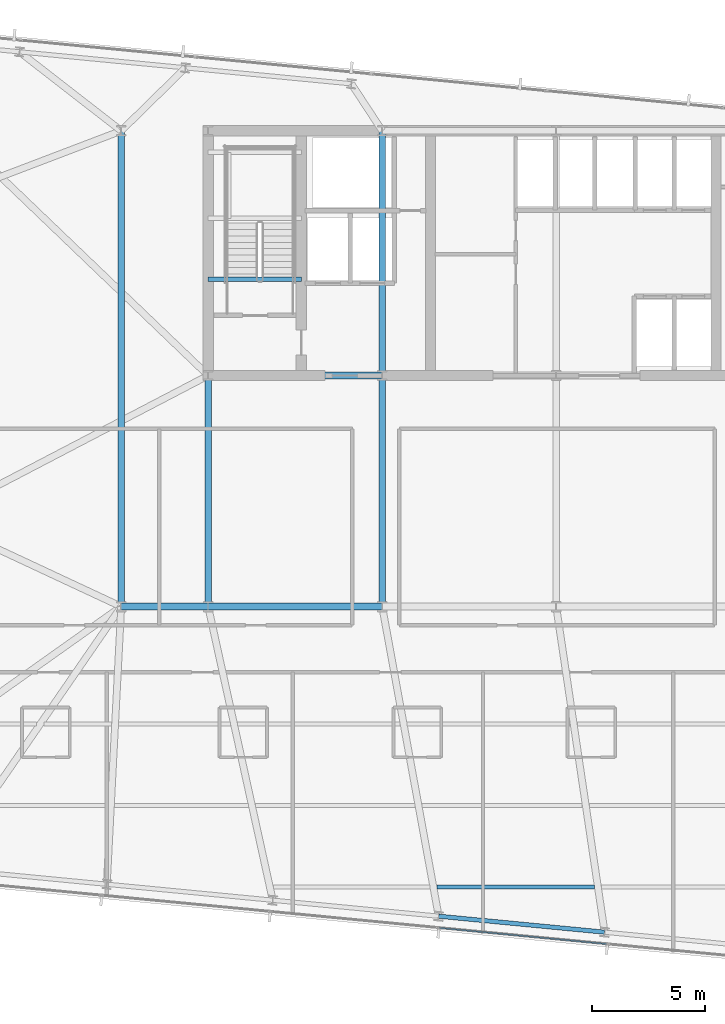
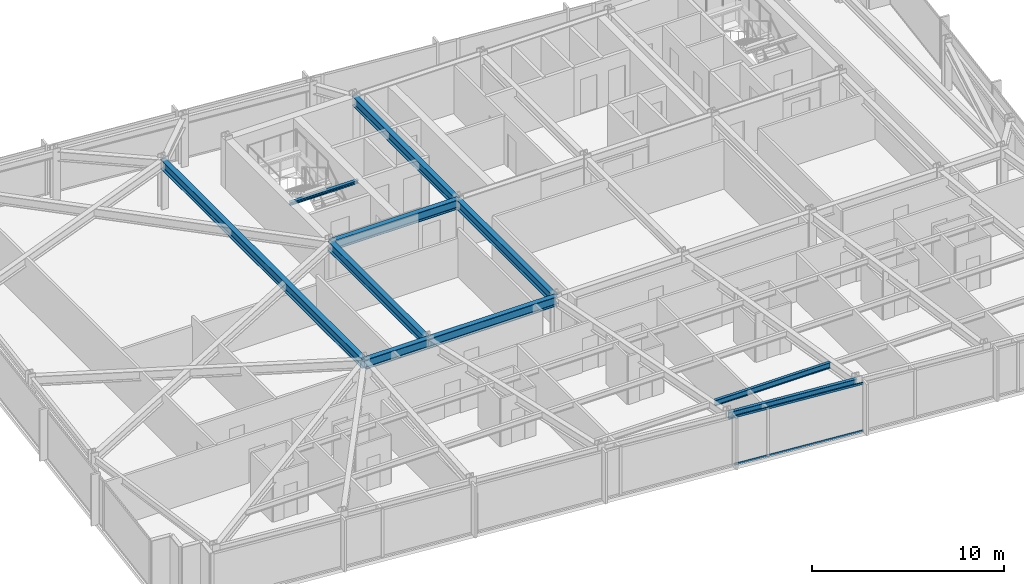
# One storey, part 11 of 37: 10 beams, 2 members, 1 element without a shape of its own.
"""IFC4 building model written with IfcOpenShell, lengths in metres."""

from ifc_helpers import new_model, si_unit, direction, frame, origin, origin_2d, place, context, subcontext, project, spatial, hollow_rectangle, i_section, extrude, material, material_profile, profile_set, type_object, element, aggregate, save


model = new_model("IFC4")

# Units and contexts
model_context = context("Model", 3, precision=1e-05, world=origin(), true_north=direction((0.0, 1.0)))
body_context = subcontext(model_context, "Body", "Model", "MODEL_VIEW")
ifc_project = project(units=[si_unit("LENGTHUNIT", "METRE"), si_unit("AREAUNIT", "SQUARE_METRE"), si_unit("VOLUMEUNIT", "CUBIC_METRE"), si_unit("PLANEANGLEUNIT", "RADIAN"), si_unit("MASSUNIT", "GRAM", prefix="KILO")], contexts=[model_context])

# Site, building, storey
site_placement = place(None, origin())
site = spatial("IfcSite", under=ifc_project, at=site_placement, CompositionType="ELEMENT")
building_placement = place(site_placement, origin())
building = spatial("IfcBuilding", under=site, at=building_placement, Name="Yelkora Congress Tower", CompositionType="ELEMENT")
storey_placement = place(building_placement, frame((0.0, 0.0, 168.800048828125)))
storey = spatial("IfcBuildingStorey", under=building, at=storey_placement, Name="L46", CompositionType="ELEMENT", Elevation=168.800048828125)

# Beams
ifc_material_1 = material(Name="Steel S355J2", Category="steel")
ifc_material_profile_1 = material_profile(ifc_material_1, i_section(OverallWidth=0.300048828125, OverallDepth=0.60009765625, WebThickness=0.015380859375, FlangeThickness=0.030029296875, FilletRadius=0.027099609375, at=origin_2d()), Name="HEB 600")
ifc_profile_set_1 = profile_set([ifc_material_profile_1], Name="Steel S355J2")
beam_type_1 = type_object("IfcBeamType", Name="BM-GIRD-HEB600", PredefinedType="BEAM", material=ifc_profile_set_1)
beam_1_placement = place(storey_placement, frame((19.199951171875, 25.199951171875, 2.780029296875), z_axis=(1.0, 0.0, 0.0), x_axis=(0.0, 1.0, 0.0)))
element("IfcBeam", 1, at=beam_1_placement, inside=storey, type_object=beam_type_1, Name="L46 Spine Grid D Girder 1", PredefinedType="BEAM", context=body_context, shape_type="SweptSolid", body=[
    extrude(i_section(OverallWidth=0.300048828125, OverallDepth=0.60009765625, WebThickness=0.015380859375, FlangeThickness=0.030029296875, FilletRadius=0.027099609375, at=origin_2d()), origin(), (0.0, 0.0, 1.0), 3.840087890625),
])
for number, where, z_axis, x_axis, name in (
    (2, (23.0400390625, 25.199951171875, 2.780029296875), (1.0, 0.0, 0.0), (0.0, 1.0, 0.0), "L46 Spine Grid D Girder 2"),
    (3, (23.0400390625, 35.39990234375, 2.780029296875), (1.0, 0.0, 0.0), (0.0, 1.0, 0.0), "L46 Core South Girder 1"),
):
    element("IfcBeam", number, at=place(storey_placement, frame(where, z_axis=z_axis, x_axis=x_axis)), inside=storey, type_object=beam_type_1, Name=name, PredefinedType="BEAM", context=body_context, shape_type="SweptSolid", body=[
        extrude(i_section(OverallWidth=0.300048828125, OverallDepth=0.60009765625, WebThickness=0.015380859375, FlangeThickness=0.030029296875, FilletRadius=0.027099609375, at=origin_2d()), origin(), (0.0, 0.0, 1.0), 7.679931640625),
    ])
for number, where, z_axis, x_axis, name in (
    (4, (23.0400390625, 25.199951171875, 2.780029296875), (0.0, 1.0, 0.0), (-1.0, 0.0, 0.0), "L46 Core Tie Girder MC-D1"),
    (5, (30.719970703125, 25.199951171875, 2.780029296875), (0.0, 1.0, 0.0), (-1.0, 0.0, 0.0), "L46 Core Tie Girder MC-D2"),
):
    element("IfcBeam", number, at=place(storey_placement, frame(where, z_axis=z_axis, x_axis=x_axis)), inside=storey, type_object=beam_type_1, Name=name, PredefinedType="BEAM", context=body_context, shape_type="SweptSolid", body=[
        extrude(i_section(OverallWidth=0.300048828125, OverallDepth=0.60009765625, WebThickness=0.015380859375, FlangeThickness=0.030029296875, FilletRadius=0.027099609375, at=origin_2d()), origin(), (0.0, 0.0, 1.0), 10.199951171875),
    ])
beam_2_placement = place(storey_placement, frame((30.719970703125, 35.39990234375, 2.780029296875), z_axis=(0.0, 1.0, 0.0), x_axis=(-1.0, 0.0, 0.0)))
element("IfcBeam", 6, at=beam_2_placement, inside=storey, type_object=beam_type_1, Name="L46 Core Tie Girder MC-S2", PredefinedType="BEAM", context=body_context, shape_type="SweptSolid", body=[
    extrude(i_section(OverallWidth=0.300048828125, OverallDepth=0.60009765625, WebThickness=0.015380859375, FlangeThickness=0.030029296875, FilletRadius=0.027099609375, at=origin_2d()), origin(), (0.0, 0.0, 1.0), 10.800048828125),
])
beam_3_placement = place(storey_placement, frame((19.199951171875, 25.199951171875, 2.780029296875), z_axis=(0.0, 1.0, 0.0), x_axis=(-1.0, 0.0, 0.0)))
element("IfcBeam", 7, at=beam_3_placement, inside=storey, type_object=beam_type_1, Name="L46 Neck Flank Girder MC-F1", PredefinedType="BEAM", context=body_context, shape_type="SweptSolid", body=[
    extrude(i_section(OverallWidth=0.300048828125, OverallDepth=0.60009765625, WebThickness=0.015380859375, FlangeThickness=0.030029296875, FilletRadius=0.027099609375, at=origin_2d()), origin(), (0.0, 0.0, 1.0), 21.0),
])
ifc_material_profile_2 = material_profile(ifc_material_1, i_section(OverallWidth=0.169921875, OverallDepth=0.360107421875, WebThickness=0.008056640625, FlangeThickness=0.0126953125, FilletRadius=0.01806640625, at=origin_2d()), Name="IPE 360")
ifc_profile_set_2 = profile_set([ifc_material_profile_2], Name="Steel S355J2")
beam_type_2 = type_object("IfcBeamType", Name="BM-JOIST-IPE360", PredefinedType="JOIST", material=ifc_profile_set_2)
beam_4_placement = place(storey_placement, frame((33.137939453125, 12.8212890625, 2.89990234375), z_axis=(1.0, 0.0, 0.0), x_axis=(0.0, 1.0, 0.0)))
element("IfcBeam", 8, at=beam_4_placement, inside=storey, type_object=beam_type_2, Name="L46 Composite Floor Joist 2", PredefinedType="JOIST", context=body_context, shape_type="SweptSolid", body=[
    extrude(i_section(OverallWidth=0.169921875, OverallDepth=0.360107421875, WebThickness=0.008056640625, FlangeThickness=0.0126953125, FilletRadius=0.01806640625, at=origin_2d()), origin(), (0.0, 0.0, 1.0), 6.94189453125),
])
ifc_material_profile_3 = material_profile(ifc_material_1, i_section(OverallWidth=0.199951171875, OverallDepth=0.18994140625, WebThickness=0.006591796875, FlangeThickness=0.010009765625, FilletRadius=0.01806640625, at=origin_2d()), Name="HEA 200")
ifc_profile_set_3 = profile_set([ifc_material_profile_3], Name="Steel S355J2")
beam_type_3 = type_object("IfcBeamType", Name="BM-LAND-HEA200", PredefinedType="BEAM", material=ifc_profile_set_3)
beam_5_placement = place(storey_placement, frame((23.0400390625, 39.639892578125, 2.853759765625), z_axis=(1.0, 0.0, 0.0), x_axis=(0.0, 1.0, 0.0)))
element("IfcBeam", 9, at=beam_5_placement, inside=storey, type_object=beam_type_3, Name="ST-01 L46 Floor Arrival Stringer Header Beam", PredefinedType="BEAM", context=body_context, shape_type="SweptSolid", body=[
    extrude(i_section(OverallWidth=0.199951171875, OverallDepth=0.18994140625, WebThickness=0.006591796875, FlangeThickness=0.010009765625, FilletRadius=0.01806640625, at=origin_2d()), origin(), (0.0, 0.0, 1.0), 4.10986328125),
])
ifc_material_profile_4 = material_profile(ifc_material_1, i_section(OverallWidth=0.18994140625, OverallDepth=0.449951171875, WebThickness=0.009521484375, FlangeThickness=0.0146484375, FilletRadius=0.02099609375, at=origin_2d()), Name="IPE 450")
ifc_profile_set_4 = profile_set([ifc_material_profile_4], Name="Steel S355J2")
beam_type_4 = type_object("IfcBeamType", Name="BM-SPAN-IPE450", PredefinedType="SPANDREL", material=ifc_profile_set_4)
beam_6_placement = place(storey_placement, frame((33.21240234375, 11.53662109375, 2.85498046875), z_axis=(0.995397104697, -0.095836339457, 0.0), x_axis=(0.095836339457, 0.995397104697, 0.0)))
element("IfcBeam", 10, at=beam_6_placement, inside=storey, type_object=beam_type_4, Name="L46 Perimeter Beam 6", PredefinedType="SPANDREL", context=body_context, shape_type="SweptSolid", body=[
    extrude(i_section(OverallWidth=0.18994140625, OverallDepth=0.449951171875, WebThickness=0.009521484375, FlangeThickness=0.0146484375, FilletRadius=0.02099609375, at=origin_2d()), origin(), (0.0, 0.0, 1.0), 7.357177734375),
])

# Curtain wall, members
ifc_material_2 = material(Name="Anodised aluminium and insulated glass", Category="aluminium")
curtain_wall_type = type_object("IfcCurtainWallType", Name="CW-SYS-B3", PredefinedType="NOTDEFINED", material=ifc_material_2)
curtain_wall_placement = place(storey_placement, origin())
curtain_wall = element("IfcCurtainWall", 11, at=curtain_wall_placement, inside=storey, type_object=curtain_wall_type, Name="L46 Unitised Curtain Wall 20", PredefinedType="NOTDEFINED")
ifc_material_3 = material(Name="Anodised aluminium 6063-T6", Category="aluminium")
ifc_material_profile_5 = material_profile(ifc_material_3, hollow_rectangle(XDim=0.06005859375, YDim=0.1298828125, WallThickness=0.00390625, at=origin_2d()), Name="ALU 60x130x4")
ifc_profile_set_5 = profile_set([ifc_material_profile_5], Name="Anodised aluminium 6063-T6")
member_type = type_object("IfcMemberType", Name="MEM-TR-B3", PredefinedType="USERDEFINED", material=ifc_profile_set_5)
member_1_placement = place(storey_placement, frame((40.626708984375, 10.310302734375, 0.030029296875), z_axis=(-0.99539548672, 0.095853142967, 0.0), x_axis=(-0.095853142967, -0.99539548672, 0.0)))
member_1 = element("IfcMember", 12, at=member_1_placement, type_object=member_type, Name="CW-B3 transom 3.1", ObjectType="TRANSOM", PredefinedType="USERDEFINED", context=body_context, shape_type="SweptSolid", body=[
    extrude(hollow_rectangle(XDim=0.06005859375, YDim=0.1298828125, WallThickness=0.00390625, at=origin_2d()), origin(), (0.0, 0.0, 1.0), 7.404296875),
])
member_2_placement = place(storey_placement, frame((40.626708984375, 10.310302734375, 3.050048828125), z_axis=(-0.99539548672, 0.095853142967, 0.0), x_axis=(-0.095853142967, -0.99539548672, 0.0)))
member_2 = element("IfcMember", 13, at=member_2_placement, type_object=member_type, Name="CW-B3 transom 3.2", ObjectType="TRANSOM", PredefinedType="USERDEFINED", context=body_context, shape_type="SweptSolid", body=[
    extrude(hollow_rectangle(XDim=0.06005859375, YDim=0.1298828125, WallThickness=0.00390625, at=origin_2d()), origin(), (0.0, 0.0, 1.0), 7.404296875),
])
aggregate(curtain_wall, [member_1, member_2])

save(model, "model.ifc")
